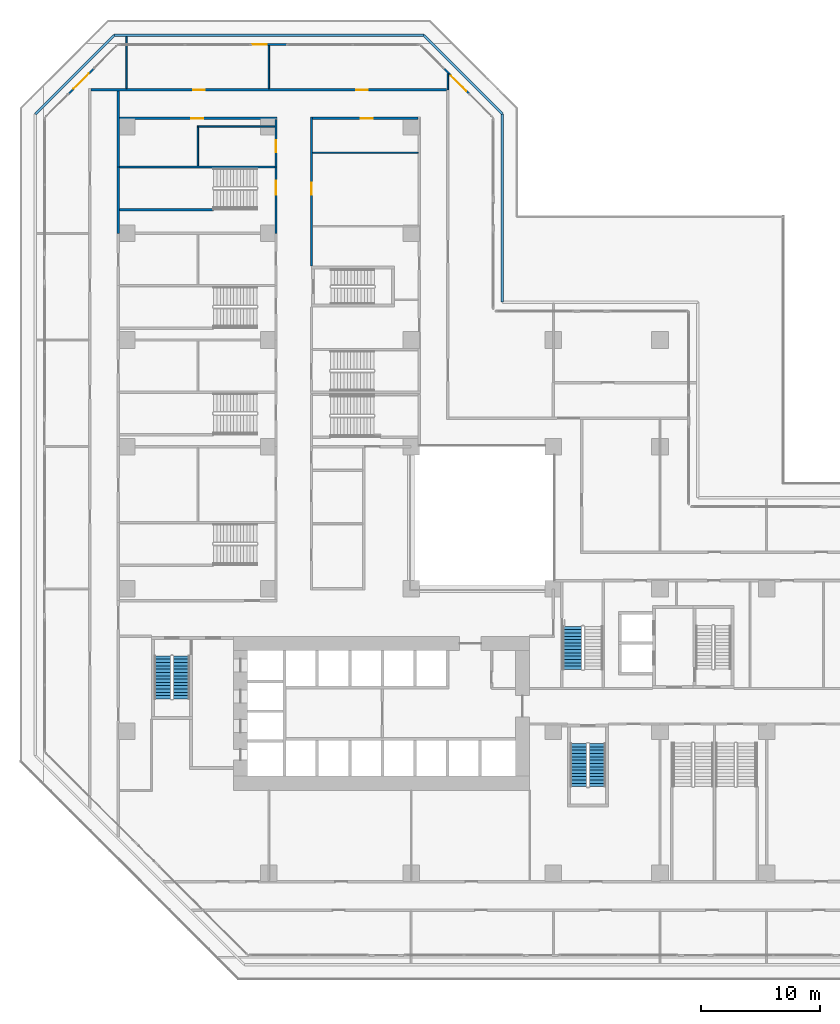
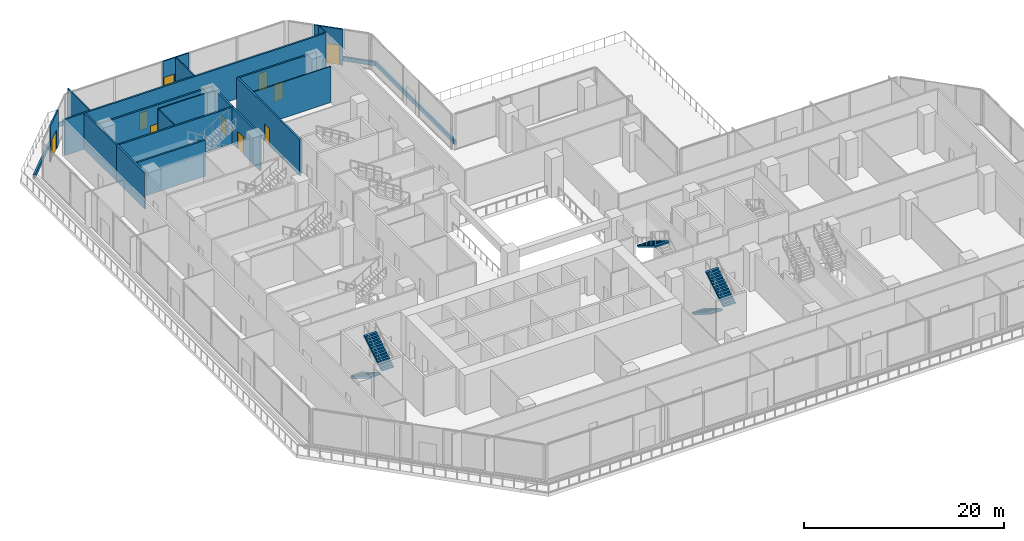
# One storey, part 17 of 25: 23 walls, 10 doors, 5 stair flights, 10 openings, 3 elements without a shape of their own.
"""IFC4 building model written with IfcOpenShell, lengths in metres."""

from ifc_helpers import new_model, si_unit, direction, frame, frame_2d, origin, place, context, subcontext, project, spatial, polyline, rectangle, outline, extrude, material, layer, layer_set, type_object, element, fill, aggregate, save


model = new_model("IFC4")

# Units and contexts
model_context = context("Model", 3, precision=1e-05, world=origin(), true_north=direction((0.0, 1.0)))
body_context = subcontext(model_context, "Body", "Model", "MODEL_VIEW")
ifc_project = project(units=[si_unit("LENGTHUNIT", "METRE"), si_unit("AREAUNIT", "SQUARE_METRE"), si_unit("VOLUMEUNIT", "CUBIC_METRE"), si_unit("PLANEANGLEUNIT", "RADIAN"), si_unit("MASSUNIT", "GRAM", prefix="KILO")], contexts=[model_context])

# Site, building, storey
site_placement = place(None, origin())
site = spatial("IfcSite", under=ifc_project, at=site_placement, CompositionType="ELEMENT")
building_placement = place(site_placement, origin())
building = spatial("IfcBuilding", under=site, at=building_placement, Name="Chenar Terraces", CompositionType="ELEMENT")
storey_placement = place(building_placement, frame((0.0, 0.0, 21.60009765625)))
storey = spatial("IfcBuildingStorey", under=building, at=storey_placement, Name="L04", CompositionType="ELEMENT", Elevation=21.60009765625)

# Walls
ifc_material_1 = material(Name="Gypsum board on steel studs with mineral wool", Category="steel")
ifc_layer_1 = layer(ifc_material_1, 0.125)
ifc_layer_set_1 = layer_set([ifc_layer_1], Name="Gypsum board on steel studs with mineral wool")
wall_type_1 = type_object("IfcWallType", Name="Acoustic partition 125", PredefinedType="PARTITIONING", material=ifc_layer_set_1)
wall_1_placement = place(storey_placement, frame((0.0, 66.199951171875, 0.0), z_axis=(0.0, 0.0, 1.0), x_axis=(0.0, 1.0, 0.0)))
element("IfcWall", 1, at=wall_1_placement, inside=storey, type_object=wall_type_1, Name="Partition L04-027", PredefinedType="PARTITIONING", context=body_context, shape_type="SweptSolid", body=[
    extrude(rectangle(XDim=4.400146484375, YDim=0.125, at=frame_2d((2.2001953125, 0.0))), origin(), (0.0, 0.0, 1.0), 4.39990234375),
])
wall_2_placement = place(storey_placement, frame((5.93798828125, 63.0, 0.0), z_axis=(0.0, 0.0, 1.0), x_axis=(1.0, 0.0, 0.0)))
element("IfcWall", 2, at=wall_2_placement, inside=storey, type_object=wall_type_1, Name="Partition L04-030", PredefinedType="PARTITIONING", context=body_context, shape_type="SweptSolid", body=[
    extrude(rectangle(XDim=6.56201171875, YDim=0.125, at=frame_2d((3.281005859375, 0.0))), origin(), (0.0, 0.0, 1.0), 4.39990234375),
])
wall_3_placement = place(storey_placement, frame((6.0, 59.699951171875, 0.0), z_axis=(0.0, 0.0, 1.0), x_axis=(0.0, 1.0, 0.0)))
element("IfcWall", 3, at=wall_3_placement, inside=storey, type_object=wall_type_1, Name="Partition L04-034", PredefinedType="PARTITIONING", context=body_context, shape_type="SweptSolid", body=[
    extrude(rectangle(XDim=3.238037109375, YDim=0.125, at=frame_2d((1.619140625, 0.0))), origin(), (0.0, 0.0, 1.0), 4.39990234375),
])
wall_4_placement = place(storey_placement, frame((12.0, 66.199951171875, 0.0), z_axis=(0.0, 0.0, 1.0), x_axis=(0.0, 1.0, 0.0)))
element("IfcWall", 4, at=wall_4_placement, inside=storey, type_object=wall_type_1, Name="Partition L04-037", PredefinedType="PARTITIONING", context=body_context, shape_type="SweptSolid", body=[
    extrude(rectangle(XDim=3.651123046875, YDim=0.125, at=frame_2d((1.82568359375, 0.0))), origin(), (0.0, 0.0, 1.0), 4.39990234375),
])
wall_5_placement = place(storey_placement, frame((27.10009765625, 66.10009765625, 0.0), z_axis=(0.0, 0.0, 1.0), x_axis=(0.0, 1.0, 0.0)))
element("IfcWall", 5, at=wall_5_placement, inside=storey, type_object=wall_type_1, Name="Partition L04-068", PredefinedType="PARTITIONING", context=body_context, shape_type="SweptSolid", body=[
    extrude(rectangle(XDim=1.366943359375, YDim=0.125, at=frame_2d((0.68359375, 0.0))), origin(), (0.0, 0.0, 1.0), 4.39990234375),
])

# Wall, openings, doors
ifc_material_2 = material(Name="Gypsum board on steel studs with fire boards", Category="steel")
ifc_layer_2 = layer(ifc_material_2, 0.199951171875)
ifc_layer_set_2 = layer_set([ifc_layer_2], Name="Gypsum board on steel studs with fire boards")
wall_type_2 = type_object("IfcWallType", Name="Corridor wall 200", PredefinedType="PARTITIONING", material=ifc_layer_set_2)
wall_6_placement = place(storey_placement, frame((-3.0, 66.10009765625, 0.0), z_axis=(0.0, 0.0, 1.0), x_axis=(1.0, 0.0, 0.0)))
wall_6 = element("IfcWall", 6, at=wall_6_placement, inside=storey, type_object=wall_type_2, Name="Partition L04-006", PredefinedType="PARTITIONING", context=body_context, shape_type="SweptSolid", body=[
    extrude(rectangle(XDim=30.0, YDim=0.199951171875, at=frame_2d((15.0, 0.0))), origin(), (0.0, 0.0, 1.0), 4.39990234375),
])
opening_1_placement = place(wall_6_placement, frame((8.60009765625, 0.0, 0.0)))
opening_1 = element("IfcOpeningElement", 7, at=opening_1_placement, cuts=wall_6, Name="Opening DL04-41", PredefinedType="OPENING", context=body_context, shape_type="SweptSolid", body=[
    extrude(rectangle(XDim=1.0, YDim=2.10009765625, at=frame_2d((0.5, 1.050048828125))), frame((0.0, 0.10986328125, 0.0), z_axis=(0.0, -1.0, 0.0), x_axis=(1.0, 0.0, 0.0)), (0.0, 0.0, 1.0), 0.219970703125),
])
opening_2_placement = place(wall_6_placement, frame((22.35009765625, 0.0, 0.0)))
opening_2 = element("IfcOpeningElement", 8, at=opening_2_placement, cuts=wall_6, Name="Opening DL04-42", PredefinedType="OPENING", context=body_context, shape_type="SweptSolid", body=[
    extrude(rectangle(XDim=1.0, YDim=2.10009765625, at=frame_2d((0.5, 1.050048828125))), frame((0.0, 0.10986328125, 0.0), z_axis=(0.0, -1.0, 0.0), x_axis=(1.0, 0.0, 0.0)), (0.0, 0.0, 1.0), 0.219970703125),
])
ifc_material_3 = material(Name="Steel-framed fire-resisting door leaf", Category="steel")
door_type_1 = type_object("IfcDoorType", Name="Fire door FD60 1000 x 2100", OperationType="SINGLE_SWING_LEFT", PredefinedType="DOOR", material=ifc_material_3)
door_1_placement = place(opening_1_placement, origin())
door_1 = element("IfcDoor", 9, at=door_1_placement, inside=storey, type_object=door_type_1, Name="Door DL04-41", OperationType="SINGLE_SWING_RIGHT", OverallHeight=2.10009765625, OverallWidth=1.0, PredefinedType="DOOR", context=body_context, shape_type="SweptSolid", body=[
    extrude(rectangle(XDim=1.0, YDim=2.10009765625, at=frame_2d((0.5, 1.050048828125))), frame((0.0, 0.02490234375, 0.0), z_axis=(0.0, -1.0, 0.0), x_axis=(1.0, 0.0, 0.0)), (0.0, 0.0, 1.0), 0.050048828125),
])
fill(opening_1, door_1)
door_2_placement = place(opening_2_placement, origin())
door_2 = element("IfcDoor", 10, at=door_2_placement, inside=storey, type_object=door_type_1, Name="Door DL04-42", OperationType="SINGLE_SWING_RIGHT", OverallHeight=2.10009765625, OverallWidth=1.0, PredefinedType="DOOR", context=body_context, shape_type="SweptSolid", body=[
    extrude(rectangle(XDim=1.0, YDim=2.10009765625, at=frame_2d((0.5, 1.050048828125))), frame((0.0, 0.02490234375, 0.0), z_axis=(0.0, -1.0, 0.0), x_axis=(1.0, 0.0, 0.0)), (0.0, 0.0, 1.0), 0.050048828125),
])
fill(opening_2, door_2)

# Wall
wall_7_placement = place(storey_placement, frame((-0.699951171875, 59.60009765625, 0.0), z_axis=(0.0, 0.0, 1.0), x_axis=(0.0, 1.0, 0.0)))
element("IfcWall", 11, at=wall_7_placement, inside=storey, type_object=wall_type_2, Name="Partition L04-015", PredefinedType="PARTITIONING", context=body_context, shape_type="SweptSolid", body=[
    extrude(rectangle(XDim=6.39990234375, YDim=0.199951171875, at=frame_2d((3.199951171875, 0.0))), origin(), (0.0, 0.0, 1.0), 4.39990234375),
])

# Wall, opening, door
wall_8_placement = place(storey_placement, frame((-0.60009765625, 63.699951171875, 0.0), z_axis=(0.0, 0.0, 1.0), x_axis=(1.0, 0.0, 0.0)))
wall_8 = element("IfcWall", 12, at=wall_8_placement, inside=storey, type_object=wall_type_2, Name="Partition L04-026", PredefinedType="PARTITIONING", context=body_context, shape_type="SweptSolid", body=[
    extrude(rectangle(XDim=13.300048828125, YDim=0.199951171875, at=frame_2d((6.64990234375, 0.0))), origin(), (0.0, 0.0, 1.0), 4.39990234375),
])
opening_3_placement = place(wall_8_placement, frame((6.050048828125, 0.0, 0.0)))
opening_3 = element("IfcOpeningElement", 13, at=opening_3_placement, cuts=wall_8, Name="Opening DL04-30", PredefinedType="OPENING", context=body_context, shape_type="SweptSolid", body=[
    extrude(rectangle(XDim=1.0, YDim=2.10009765625, at=frame_2d((0.5, 1.050048828125))), frame((0.0, 0.10986328125, 0.0), z_axis=(0.0, -1.0, 0.0), x_axis=(1.0, 0.0, 0.0)), (0.0, 0.0, 1.0), 0.219970703125),
])
door_3_placement = place(opening_3_placement, origin())
door_3 = element("IfcDoor", 14, at=door_3_placement, inside=storey, type_object=door_type_1, Name="Door DL04-30", OperationType="SINGLE_SWING_RIGHT", OverallHeight=2.10009765625, OverallWidth=1.0, PredefinedType="DOOR", context=body_context, shape_type="SweptSolid", body=[
    extrude(rectangle(XDim=1.0, YDim=2.10009765625, at=frame_2d((0.5, 1.050048828125))), frame((0.0, 0.02490234375, 0.0), z_axis=(0.0, -1.0, 0.0), x_axis=(1.0, 0.0, 0.0)), (0.0, 0.0, 1.0), 0.050048828125),
])
fill(opening_3, door_3)

wall_9_placement = place(storey_placement, frame((12.60009765625, 59.60009765625, 0.0), z_axis=(0.0, 0.0, 1.0), x_axis=(0.0, 1.0, 0.0)))
wall_9 = element("IfcWall", 15, at=wall_9_placement, inside=storey, type_object=wall_type_2, Name="Partition L04-045", PredefinedType="PARTITIONING", context=body_context, shape_type="SweptSolid", body=[
    extrude(rectangle(XDim=4.0, YDim=0.199951171875, at=frame_2d((2.0, 0.0))), origin(), (0.0, 0.0, 1.0), 4.39990234375),
])
opening_4_placement = place(wall_9_placement, frame((1.25, 0.0, 0.0)))
opening_4 = element("IfcOpeningElement", 16, at=opening_4_placement, cuts=wall_9, Name="Opening DL04-15", PredefinedType="OPENING", context=body_context, shape_type="SweptSolid", body=[
    extrude(rectangle(XDim=1.0, YDim=2.10009765625, at=frame_2d((0.5, 1.050048828125))), frame((0.0, 0.10986328125, 0.0), z_axis=(0.0, -1.0, 0.0), x_axis=(1.0, 0.0, 0.0)), (0.0, 0.0, 1.0), 0.219970703125),
])
door_4_placement = place(opening_4_placement, origin())
door_4 = element("IfcDoor", 17, at=door_4_placement, inside=storey, type_object=door_type_1, Name="Door DL04-15", OperationType="SINGLE_SWING_RIGHT", OverallHeight=2.10009765625, OverallWidth=1.0, PredefinedType="DOOR", context=body_context, shape_type="SweptSolid", body=[
    extrude(rectangle(XDim=1.0, YDim=2.10009765625, at=frame_2d((0.5, 1.050048828125))), frame((0.0, 0.02490234375, 0.0), z_axis=(0.0, -1.0, 0.0), x_axis=(1.0, 0.0, 0.0)), (0.0, 0.0, 1.0), 0.050048828125),
])
fill(opening_4, door_4)

wall_10_placement = place(storey_placement, frame((15.60009765625, 51.22509765625, 0.0), z_axis=(0.0, 0.0, 1.0), x_axis=(0.0, 1.0, 0.0)))
wall_10 = element("IfcWall", 18, at=wall_10_placement, inside=storey, type_object=wall_type_2, Name="Partition L04-051", PredefinedType="PARTITIONING", context=body_context, shape_type="SweptSolid", body=[
    extrude(rectangle(XDim=12.574951171875, YDim=0.199951171875, at=frame_2d((6.28759765625, 0.0))), origin(), (0.0, 0.0, 1.0), 4.39990234375),
])
opening_5_placement = place(wall_10_placement, frame((6.02490234375, 0.0, 0.0)))
opening_5 = element("IfcOpeningElement", 19, at=opening_5_placement, cuts=wall_10, Name="Opening DL04-21", PredefinedType="OPENING", context=body_context, shape_type="SweptSolid", body=[
    extrude(rectangle(XDim=1.0, YDim=2.10009765625, at=frame_2d((0.5, 1.050048828125))), frame((0.0, 0.10986328125, 0.0), z_axis=(0.0, -1.0, 0.0), x_axis=(1.0, 0.0, 0.0)), (0.0, 0.0, 1.0), 0.219970703125),
])
door_5_placement = place(opening_5_placement, frame((1.0, 0.0, 0.0), z_axis=(0.0, 0.0, 1.0), x_axis=(-1.0, 0.0, 0.0)))
door_5 = element("IfcDoor", 20, at=door_5_placement, inside=storey, type_object=door_type_1, Name="Door DL04-21", OperationType="SINGLE_SWING_LEFT", OverallHeight=2.10009765625, OverallWidth=1.0, PredefinedType="DOOR", context=body_context, shape_type="SweptSolid", body=[
    extrude(rectangle(XDim=1.0, YDim=2.10009765625, at=frame_2d((0.5, 1.050048828125))), frame((0.0, 0.02490234375, 0.0), z_axis=(0.0, -1.0, 0.0), x_axis=(1.0, 0.0, 0.0)), (0.0, 0.0, 1.0), 0.050048828125),
])
fill(opening_5, door_5)

wall_11_placement = place(storey_placement, frame((15.699951171875, 63.699951171875, 0.0), z_axis=(0.0, 0.0, 1.0), x_axis=(1.0, 0.0, 0.0)))
wall_11 = element("IfcWall", 21, at=wall_11_placement, inside=storey, type_object=wall_type_2, Name="Partition L04-059", PredefinedType="PARTITIONING", context=body_context, shape_type="SweptSolid", body=[
    extrude(rectangle(XDim=8.900146484375, YDim=0.199951171875, at=frame_2d((4.4501953125, 0.0))), origin(), (0.0, 0.0, 1.0), 4.39990234375),
])
opening_6_placement = place(wall_11_placement, frame((4.050048828125, 0.0, 0.0)))
opening_6 = element("IfcOpeningElement", 22, at=opening_6_placement, cuts=wall_11, Name="Opening DL04-22", PredefinedType="OPENING", context=body_context, shape_type="SweptSolid", body=[
    extrude(rectangle(XDim=1.0, YDim=2.10009765625, at=frame_2d((0.5, 1.050048828125))), frame((0.0, 0.10986328125, 0.0), z_axis=(0.0, -1.0, 0.0), x_axis=(1.0, 0.0, 0.0)), (0.0, 0.0, 1.0), 0.219970703125),
])
door_6_placement = place(opening_6_placement, frame((1.0, 0.0, 0.0), z_axis=(0.0, 0.0, 1.0), x_axis=(-1.0, 0.0, 0.0)))
door_6 = element("IfcDoor", 23, at=door_6_placement, inside=storey, type_object=door_type_1, Name="Door DL04-22", OperationType="SINGLE_SWING_LEFT", OverallHeight=2.10009765625, OverallWidth=1.0, PredefinedType="DOOR", context=body_context, shape_type="SweptSolid", body=[
    extrude(rectangle(XDim=1.0, YDim=2.10009765625, at=frame_2d((0.5, 1.050048828125))), frame((0.0, 0.02490234375, 0.0), z_axis=(0.0, -1.0, 0.0), x_axis=(1.0, 0.0, 0.0)), (0.0, 0.0, 1.0), 0.050048828125),
])
fill(opening_6, door_6)

# Wall
ifc_material_4 = material(Name="Gypsum board on steel studs", Category="steel")
ifc_layer_3 = layer(ifc_material_4, 0.10009765625)
ifc_layer_set_3 = layer_set([ifc_layer_3], Name="Gypsum board on steel studs")
wall_type_3 = type_object("IfcWallType", Name="Gypsum partition 100", PredefinedType="PARTITIONING", material=ifc_layer_set_3)
wall_12_placement = place(storey_placement, frame((15.699951171875, 60.800048828125, 0.0), z_axis=(0.0, 0.0, 1.0), x_axis=(1.0, 0.0, 0.0)))
element("IfcWall", 24, at=wall_12_placement, inside=storey, type_object=wall_type_3, Name="Partition L04-058", PredefinedType="PARTITIONING", context=body_context, shape_type="SweptSolid", body=[
    extrude(rectangle(XDim=8.900146484375, YDim=0.10009765625, at=frame_2d((4.4501953125, 0.0))), origin(), (0.0, 0.0, 1.0), 4.39990234375),
])

# Wall, opening, door
ifc_material_5 = material(Name="Aluminium framed glazing", Category="aluminium")
ifc_layer_4 = layer(ifc_material_5, 0.14990234375)
ifc_layer_set_4 = layer_set([ifc_layer_4], Name="Aluminium framed glazing")
wall_type_4 = type_object("IfcWallType", Name="Podium glazed wall 150", PredefinedType="SOLIDWALL", material=ifc_layer_set_4)
wall_13_placement = place(storey_placement, frame((28.896728515625, 65.775390625, 0.0), z_axis=(0.0, 0.0, 1.0), x_axis=(-0.707106781187, 0.707106781187, 0.0)))
wall_13 = element("IfcWall", 25, at=wall_13_placement, inside=storey, type_object=wall_type_4, Name="Podium glazed wall", PredefinedType="SOLIDWALL", context=body_context, shape_type="SweptSolid", body=[
    extrude(rectangle(XDim=3.0, YDim=0.14990234375, at=frame_2d((1.5, 0.0))), origin(), (0.0, 0.0, 1.0), 4.39990234375),
])
opening_7_placement = place(wall_13_placement, frame((0.35009765625, 0.0, 0.0)))
opening_7 = element("IfcOpeningElement", 26, at=opening_7_placement, cuts=wall_13, Name="Opening DL04-T1", PredefinedType="OPENING", context=body_context, shape_type="SweptSolid", body=[
    extrude(rectangle(XDim=1.800048828125, YDim=2.39990234375, at=frame_2d((0.89990234375, 1.199951171875))), frame((0.0, 0.0849609375, 0.0), z_axis=(0.0, -1.0, 0.0), x_axis=(1.0, 0.0, 0.0)), (0.0, 0.0, 1.0), 0.169921875),
])
ifc_material_6 = material(Name="Low emissivity double glazing, aluminium frame", Category="aluminium")
door_type_2 = type_object("IfcDoorType", Name="Terrace glazed double door 1800 x 2400", OperationType="DOUBLE_DOOR_SINGLE_SWING", PredefinedType="DOOR", material=ifc_material_6)
door_7_placement = place(opening_7_placement, frame((1.800048828125, 0.0, 0.0), z_axis=(0.0, 0.0, 1.0), x_axis=(-1.0, 0.0, 0.0)))
door_7 = element("IfcDoor", 27, at=door_7_placement, inside=storey, type_object=door_type_2, Name="Terrace glazed door", OperationType="DOUBLE_DOOR_SINGLE_SWING", OverallHeight=2.39990234375, OverallWidth=1.800048828125, PredefinedType="DOOR", context=body_context, shape_type="SweptSolid", body=[
    extrude(rectangle(XDim=1.800048828125, YDim=2.39990234375, at=frame_2d((0.89990234375, 1.199951171875))), frame((0.0, 0.02490234375, 0.0), z_axis=(0.0, -1.0, 0.0), x_axis=(1.0, 0.0, 0.0)), (0.0, 0.0, 1.0), 0.050048828125),
])
fill(opening_7, door_7)

wall_14_placement = place(storey_placement, frame((13.5, 69.925048828125, 0.0), z_axis=(0.0, 0.0, 1.0), x_axis=(-1.0, 0.0, 0.0)))
wall_14 = element("IfcWall", 28, at=wall_14_placement, inside=storey, type_object=wall_type_4, Name="Podium glazed wall", PredefinedType="SOLIDWALL", context=body_context, shape_type="SweptSolid", body=[
    extrude(rectangle(XDim=3.0, YDim=0.14990234375, at=frame_2d((1.5, 0.0))), origin(), (0.0, 0.0, 1.0), 4.39990234375),
])
opening_8_placement = place(wall_14_placement, frame((1.699951171875, 0.0, 0.0)))
opening_8 = element("IfcOpeningElement", 29, at=opening_8_placement, cuts=wall_14, Name="Opening DL04-T1N", PredefinedType="OPENING", context=body_context, shape_type="SweptSolid", body=[
    extrude(rectangle(XDim=1.199951171875, YDim=2.39990234375, at=frame_2d((0.60009765625, 1.199951171875))), frame((0.0, 0.0849609375, 0.0), z_axis=(0.0, -1.0, 0.0), x_axis=(1.0, 0.0, 0.0)), (0.0, 0.0, 1.0), 0.169921875),
])
ifc_material_7 = material(Name="Low emissivity double glazing, aluminium frame", Category="aluminium")
door_type_3 = type_object("IfcDoorType", Name="Terrace glazed door 1200 x 2400", OperationType="SINGLE_SWING_LEFT", PredefinedType="DOOR", material=ifc_material_7)
door_8_placement = place(opening_8_placement, frame((1.199951171875, 0.0, 0.0), z_axis=(0.0, 0.0, 1.0), x_axis=(-1.0, 0.0, 0.0)))
door_8 = element("IfcDoor", 30, at=door_8_placement, inside=storey, type_object=door_type_3, Name="Terrace glazed door", OperationType="DOUBLE_DOOR_SINGLE_SWING", OverallHeight=2.39990234375, OverallWidth=1.199951171875, PredefinedType="DOOR", context=body_context, shape_type="SweptSolid", body=[
    extrude(rectangle(XDim=1.199951171875, YDim=2.39990234375, at=frame_2d((0.60009765625, 1.199951171875))), frame((0.0, 0.02490234375, 0.0), z_axis=(0.0, -1.0, 0.0), x_axis=(1.0, 0.0, 0.0)), (0.0, 0.0, 1.0), 0.050048828125),
])
fill(opening_8, door_8)

wall_15_placement = place(storey_placement, frame((-2.775390625, 67.896728515625, 0.0), z_axis=(0.0, 0.0, 1.0), x_axis=(-0.707106781187, -0.707106781187, 0.0)))
wall_15 = element("IfcWall", 31, at=wall_15_placement, inside=storey, type_object=wall_type_4, Name="Podium glazed wall", PredefinedType="SOLIDWALL", context=body_context, shape_type="SweptSolid", body=[
    extrude(rectangle(XDim=3.0, YDim=0.14990234375, at=frame_2d((1.5, 0.0))), origin(), (0.0, 0.0, 1.0), 4.39990234375),
])
opening_9_placement = place(wall_15_placement, frame((0.60009765625, 0.0, 0.0)))
opening_9 = element("IfcOpeningElement", 32, at=opening_9_placement, cuts=wall_15, Name="Opening DL04-T1", PredefinedType="OPENING", context=body_context, shape_type="SweptSolid", body=[
    extrude(rectangle(XDim=1.800048828125, YDim=2.39990234375, at=frame_2d((0.89990234375, 1.199951171875))), frame((0.0, 0.0849609375, 0.0), z_axis=(0.0, -1.0, 0.0), x_axis=(1.0, 0.0, 0.0)), (0.0, 0.0, 1.0), 0.169921875),
])
door_9_placement = place(opening_9_placement, origin())
door_9 = element("IfcDoor", 33, at=door_9_placement, inside=storey, type_object=door_type_2, Name="Terrace glazed door", OperationType="DOUBLE_DOOR_SINGLE_SWING", OverallHeight=2.39990234375, OverallWidth=1.800048828125, PredefinedType="DOOR", context=body_context, shape_type="SweptSolid", body=[
    extrude(rectangle(XDim=1.800048828125, YDim=2.39990234375, at=frame_2d((0.89990234375, 1.199951171875))), frame((0.0, 0.02490234375, 0.0), z_axis=(0.0, -1.0, 0.0), x_axis=(1.0, 0.0, 0.0)), (0.0, 0.0, 1.0), 0.050048828125),
])
fill(opening_9, door_9)

# Walls
ifc_material_8 = material(Name="Reinforced concrete C40/50", Category="concrete")
ifc_layer_5 = layer(ifc_material_8, 0.199951171875)
ifc_layer_set_5 = layer_set([ifc_layer_5], Name="Reinforced concrete C40/50")
wall_type_5 = type_object("IfcWallType", Name="Stair enclosure wall 200 concrete", PredefinedType="SOLIDWALL", material=ifc_layer_set_5)
wall_16_placement = place(storey_placement, frame((-0.699951171875, 54.0, 0.0), z_axis=(0.0, 0.0, 1.0), x_axis=(0.0, 1.0, 0.0)))
element("IfcWall", 34, at=wall_16_placement, inside=storey, type_object=wall_type_5, Name="Stair enclosure wall L04-014", PredefinedType="SOLIDWALL", context=body_context, shape_type="SweptSolid", body=[
    extrude(rectangle(XDim=5.60009765625, YDim=0.199951171875, at=frame_2d((2.800048828125, 0.0))), origin(), (0.0, 0.0, 1.0), 4.39990234375),
])
wall_17_placement = place(storey_placement, frame((-0.60009765625, 59.60009765625, 0.0), z_axis=(0.0, 0.0, 1.0), x_axis=(1.0, 0.0, 0.0)))
element("IfcWall", 35, at=wall_17_placement, inside=storey, type_object=wall_type_5, Name="Stair enclosure wall L04-025", PredefinedType="SOLIDWALL", context=body_context, shape_type="SweptSolid", body=[
    extrude(rectangle(XDim=13.10009765625, YDim=0.199951171875, at=frame_2d((6.550048828125, 0.0))), origin(), (0.0, 0.0, 1.0), 4.39990234375),
])

# Wall, opening, door
wall_18_placement = place(storey_placement, frame((12.60009765625, 54.0, 0.0), z_axis=(0.0, 0.0, 1.0), x_axis=(0.0, 1.0, 0.0)))
wall_18 = element("IfcWall", 36, at=wall_18_placement, inside=storey, type_object=wall_type_5, Name="Stair enclosure wall L04-044", PredefinedType="SOLIDWALL", context=body_context, shape_type="SweptSolid", body=[
    extrude(rectangle(XDim=5.60009765625, YDim=0.199951171875, at=frame_2d((2.800048828125, 0.0))), origin(), (0.0, 0.0, 1.0), 4.39990234375),
])
opening_10_placement = place(wall_18_placement, frame((3.25, 0.0, 0.0)))
opening_10 = element("IfcOpeningElement", 37, at=opening_10_placement, cuts=wall_18, Name="Opening DL04-56", PredefinedType="OPENING", context=body_context, shape_type="SweptSolid", body=[
    extrude(rectangle(XDim=1.199951171875, YDim=2.10009765625, at=frame_2d((0.60009765625, 1.050048828125))), frame((0.0, 0.10986328125, 0.0), z_axis=(0.0, -1.0, 0.0), x_axis=(1.0, 0.0, 0.0)), (0.0, 0.0, 1.0), 0.219970703125),
])
ifc_material_9 = material(Name="Steel-framed fire-resisting door leaf", Category="steel")
door_type_4 = type_object("IfcDoorType", Name="Fire door FD120 1200 x 2100", OperationType="SINGLE_SWING_LEFT", PredefinedType="DOOR", material=ifc_material_9)
door_10_placement = place(opening_10_placement, origin())
door_10 = element("IfcDoor", 38, at=door_10_placement, inside=storey, type_object=door_type_4, Name="Door DL04-56", OperationType="SINGLE_SWING_RIGHT", OverallHeight=2.10009765625, OverallWidth=1.199951171875, PredefinedType="DOOR", context=body_context, shape_type="SweptSolid", body=[
    extrude(rectangle(XDim=1.199951171875, YDim=2.10009765625, at=frame_2d((0.60009765625, 1.050048828125))), frame((0.0, 0.02490234375, 0.0), z_axis=(0.0, -1.0, 0.0), x_axis=(1.0, 0.0, 0.0)), (0.0, 0.0, 1.0), 0.050048828125),
])
fill(opening_10, door_10)

# Walls
wall_19_placement = place(storey_placement, frame((-0.60009765625, 56.0, 0.0), z_axis=(0.0, 0.0, 1.0), x_axis=(1.0, 0.0, 0.0)))
element("IfcWall", 39, at=wall_19_placement, inside=storey, type_object=wall_type_5, Name="Stair enclosure wall L04-PS3-023", PredefinedType="SOLIDWALL", context=body_context, shape_type="SweptSolid", body=[
    extrude(rectangle(XDim=7.945068359375, YDim=0.199951171875, at=frame_2d((3.97265625, 0.0))), origin(), (0.0, 0.0, 1.0), 4.39990234375),
])
ifc_material_10 = material(Name="Terracotta cladding on insulated backing", Category="masonry")
ifc_layer_6 = layer(ifc_material_10, 0.199951171875)
ifc_layer_set_6 = layer_set([ifc_layer_6], Name="Terracotta cladding on insulated backing")
wall_type_6 = type_object("IfcWallType", Name="Terrace parapet upstand 200", PredefinedType="PARAPET", material=ifc_layer_set_6)
wall_20_placement = place(storey_placement, frame((-7.699951171875, 64.068115234375, 0.0), z_axis=(0.0, 0.0, 1.0), x_axis=(0.707106781187, 0.707106781187, 0.0)))
element("IfcWall", 40, at=wall_20_placement, inside=storey, type_object=wall_type_6, Name="Terrace parapet", PredefinedType="PARAPET", context=body_context, shape_type="SweptSolid", body=[
    extrude(rectangle(XDim=9.37890625, YDim=0.199951171875, at=frame_2d((4.689453125, 0.0))), origin(), (0.0, 0.0, 1.0), 0.5),
])
wall_21_placement = place(storey_placement, frame((-1.068115234375, 70.699951171875, 0.0), z_axis=(0.0, 0.0, 1.0), x_axis=(1.0, 0.0, 0.0)))
element("IfcWall", 41, at=wall_21_placement, inside=storey, type_object=wall_type_6, Name="Terrace parapet", PredefinedType="PARAPET", context=body_context, shape_type="SweptSolid", body=[
    extrude(rectangle(XDim=26.13623046875, YDim=0.199951171875, at=frame_2d((13.068115234375, 0.0))), origin(), (0.0, 0.0, 1.0), 0.5),
])
wall_22_placement = place(storey_placement, frame((25.068115234375, 70.699951171875, 0.0), z_axis=(0.0, 0.0, 1.0), x_axis=(0.707106781187, -0.707106781187, 0.0)))
element("IfcWall", 42, at=wall_22_placement, inside=storey, type_object=wall_type_6, Name="Terrace parapet", PredefinedType="PARAPET", context=body_context, shape_type="SweptSolid", body=[
    extrude(rectangle(XDim=9.37890625, YDim=0.199951171875, at=frame_2d((4.689453125, 0.0))), origin(), (0.0, 0.0, 1.0), 0.5),
])
wall_23_placement = place(storey_placement, frame((31.699951171875, 64.068115234375, 0.0), z_axis=(0.0, 0.0, 1.0), x_axis=(0.0, -1.0, 0.0)))
element("IfcWall", 43, at=wall_23_placement, inside=storey, type_object=wall_type_6, Name="Terrace parapet", PredefinedType="PARAPET", context=body_context, shape_type="SweptSolid", body=[
    extrude(rectangle(XDim=15.8681640625, YDim=0.199951171875, at=frame_2d((7.93408203125, 0.0))), origin(), (0.0, 0.0, 1.0), 0.5),
])

# Stair, stair flights
ifc_material_11 = material(Name="Reinforced concrete C40/50", Category="concrete")
stair_type = type_object("IfcStairType", Name="Core stair 1400 half-turn", PredefinedType="HALF_TURN_STAIR", material=ifc_material_11)
placement = place(storey_placement, origin())
stair_1 = element("IfcStair", 44, at=placement, inside=storey, type_object=stair_type, Name="L04 Stair 1", PredefinedType="HALF_TURN_STAIR")
ifc_material_12 = material(Name="Reinforced concrete C40/50", Category="concrete")
stair_flight_type = type_object("IfcStairFlightType", Name="Core stair flight 1400", PredefinedType="STRAIGHT", material=ifc_material_12)
stair_flight_1_placement = place(storey_placement, frame((3.050048828125, 18.35009765625, 0.0), z_axis=(0.0, 0.0, 1.0), x_axis=(0.0, -1.0, 0.0)))
stair_flight_1 = element("IfcStairFlight", 45, at=stair_flight_1_placement, type_object=stair_flight_type, Name="ST1 flight 1", NumberOfRisers=14, NumberOfTreads=13, PredefinedType="STRAIGHT", RiserHeight=0.171428571, TreadLength=0.28, context=body_context, shape_type="SweptSolid", body=[
    extrude(outline(polyline([(-0.0029296875, 0.0), (-0.0029296875, 0.17138671875), (0.0, 0.17138671875), (0.280029296875, 0.17138671875), (0.280029296875, 0.3427734375), (0.56005859375, 0.3427734375), (0.56005859375, 0.514404296875), (0.840087890625, 0.514404296875), (0.840087890625, 0.685791015625), (1.1201171875, 0.685791015625), (1.1201171875, 0.857177734375), (1.39990234375, 0.857177734375), (1.39990234375, 1.028564453125), (1.679931640625, 1.028564453125), (1.679931640625, 1.199951171875), (1.9599609375, 1.199951171875), (1.9599609375, 1.371337890625), (2.239990234375, 1.371337890625), (2.239990234375, 1.54296875), (2.52001953125, 1.54296875), (2.52001953125, 1.71435546875), (2.800048828125, 1.71435546875), (2.800048828125, 1.8857421875), (3.080078125, 1.8857421875), (3.080078125, 2.05712890625), (3.360107421875, 2.05712890625), (3.360107421875, 2.228515625), (3.639892578125, 2.228515625), (3.64306640625, 2.228515625), (3.64306640625, 2.052734375), (3.639892578125, 2.052734375), (0.287109375, 0.0), (-0.0029296875, 0.0)])), frame((0.0, 0.699951171875, 0.0), z_axis=(0.0, -1.0, 0.0), x_axis=(1.0, 0.0, 0.0)), (0.0, 0.0, 1.0), 1.39990234375),
])
stair_flight_2_placement = place(storey_placement, frame((4.60009765625, 14.7099609375, 2.39990234375), z_axis=(0.0, 0.0, 1.0), x_axis=(0.0, 1.0, 0.0)))
stair_flight_2 = element("IfcStairFlight", 46, at=stair_flight_2_placement, type_object=stair_flight_type, Name="ST1 flight 2", NumberOfRisers=14, NumberOfTreads=13, PredefinedType="STRAIGHT", RiserHeight=0.171428571, TreadLength=0.28, context=body_context, shape_type="SweptSolid", body=[
    extrude(outline(polyline([(-0.0029296875, 0.0), (-0.0029296875, 0.17138671875), (0.0, 0.17138671875), (0.280029296875, 0.17138671875), (0.280029296875, 0.3427734375), (0.56005859375, 0.3427734375), (0.56005859375, 0.514404296875), (0.840087890625, 0.514404296875), (0.840087890625, 0.685791015625), (1.1201171875, 0.685791015625), (1.1201171875, 0.857177734375), (1.39990234375, 0.857177734375), (1.39990234375, 1.028564453125), (1.679931640625, 1.028564453125), (1.679931640625, 1.199951171875), (1.9599609375, 1.199951171875), (1.9599609375, 1.371337890625), (2.239990234375, 1.371337890625), (2.239990234375, 1.54296875), (2.52001953125, 1.54296875), (2.52001953125, 1.71435546875), (2.800048828125, 1.71435546875), (2.800048828125, 1.8857421875), (3.080078125, 1.8857421875), (3.080078125, 2.05712890625), (3.360107421875, 2.05712890625), (3.360107421875, 2.228515625), (3.639892578125, 2.228515625), (3.64306640625, 2.228515625), (3.64306640625, 2.052734375), (3.639892578125, 2.052734375), (0.287109375, 0.0), (-0.0029296875, 0.0)])), frame((0.0, 0.699951171875, 0.0), z_axis=(0.0, -1.0, 0.0), x_axis=(1.0, 0.0, 0.0)), (0.0, 0.0, 1.0), 1.39990234375),
])
aggregate(stair_1, [stair_flight_1, stair_flight_2])

stair_2 = element("IfcStair", 47, at=placement, inside=storey, type_object=stair_type, Name="L04 Stair 2", PredefinedType="HALF_TURN_STAIR")
stair_flight_3_placement = place(storey_placement, frame((38.14990234375, 10.949951171875, 0.0), z_axis=(0.0, 0.0, 1.0), x_axis=(0.0, -1.0, 0.0)))
stair_flight_3 = element("IfcStairFlight", 48, at=stair_flight_3_placement, type_object=stair_flight_type, Name="ST2 flight 1", NumberOfRisers=14, NumberOfTreads=13, PredefinedType="STRAIGHT", RiserHeight=0.171428571, TreadLength=0.28, context=body_context, shape_type="SweptSolid", body=[
    extrude(outline(polyline([(-0.0029296875, 0.0), (-0.0029296875, 0.17138671875), (0.0, 0.17138671875), (0.280029296875, 0.17138671875), (0.280029296875, 0.3427734375), (0.56005859375, 0.3427734375), (0.56005859375, 0.514404296875), (0.840087890625, 0.514404296875), (0.840087890625, 0.685791015625), (1.1201171875, 0.685791015625), (1.1201171875, 0.857177734375), (1.39990234375, 0.857177734375), (1.39990234375, 1.028564453125), (1.679931640625, 1.028564453125), (1.679931640625, 1.199951171875), (1.9599609375, 1.199951171875), (1.9599609375, 1.371337890625), (2.239990234375, 1.371337890625), (2.239990234375, 1.54296875), (2.52001953125, 1.54296875), (2.52001953125, 1.71435546875), (2.800048828125, 1.71435546875), (2.800048828125, 1.8857421875), (3.080078125, 1.8857421875), (3.080078125, 2.05712890625), (3.360107421875, 2.05712890625), (3.360107421875, 2.228515625), (3.639892578125, 2.228515625), (3.64306640625, 2.228515625), (3.64306640625, 2.052734375), (3.639892578125, 2.052734375), (0.287109375, 0.0), (-0.0029296875, 0.0)])), frame((0.0, 0.699951171875, 0.0), z_axis=(0.0, -1.0, 0.0), x_axis=(1.0, 0.0, 0.0)), (0.0, 0.0, 1.0), 1.39990234375),
])
stair_flight_4_placement = place(storey_placement, frame((39.699951171875, 7.31005859375, 2.39990234375), z_axis=(0.0, 0.0, 1.0), x_axis=(0.0, 1.0, 0.0)))
stair_flight_4 = element("IfcStairFlight", 49, at=stair_flight_4_placement, type_object=stair_flight_type, Name="ST2 flight 2", NumberOfRisers=14, NumberOfTreads=13, PredefinedType="STRAIGHT", RiserHeight=0.171428571, TreadLength=0.28, context=body_context, shape_type="SweptSolid", body=[
    extrude(outline(polyline([(-0.0029296875, 0.0), (-0.0029296875, 0.17138671875), (0.0, 0.17138671875), (0.280029296875, 0.17138671875), (0.280029296875, 0.3427734375), (0.56005859375, 0.3427734375), (0.56005859375, 0.514404296875), (0.840087890625, 0.514404296875), (0.840087890625, 0.685791015625), (1.1201171875, 0.685791015625), (1.1201171875, 0.857177734375), (1.39990234375, 0.857177734375), (1.39990234375, 1.028564453125), (1.679931640625, 1.028564453125), (1.679931640625, 1.199951171875), (1.9599609375, 1.199951171875), (1.9599609375, 1.371337890625), (2.239990234375, 1.371337890625), (2.239990234375, 1.54296875), (2.52001953125, 1.54296875), (2.52001953125, 1.71435546875), (2.800048828125, 1.71435546875), (2.800048828125, 1.8857421875), (3.080078125, 1.8857421875), (3.080078125, 2.05712890625), (3.360107421875, 2.05712890625), (3.360107421875, 2.228515625), (3.639892578125, 2.228515625), (3.64306640625, 2.228515625), (3.64306640625, 2.052734375), (3.639892578125, 2.052734375), (0.287109375, 0.0), (-0.0029296875, 0.0)])), frame((0.0, 0.699951171875, 0.0), z_axis=(0.0, -1.0, 0.0), x_axis=(1.0, 0.0, 0.0)), (0.0, 0.0, 1.0), 1.39990234375),
])
aggregate(stair_2, [stair_flight_3, stair_flight_4])

# Stair, stair flight
stair_3 = element("IfcStair", 50, at=placement, inside=storey, type_object=stair_type, Name="L04 Exit stair PS1", PredefinedType="HALF_TURN_STAIR")
stair_flight_5_placement = place(storey_placement, frame((37.625, 20.840087890625, 2.39990234375), z_axis=(0.0, 0.0, 1.0), x_axis=(0.0, -1.0, 0.0)))
stair_flight_5 = element("IfcStairFlight", 51, at=stair_flight_5_placement, type_object=stair_flight_type, Name="PS1 flight 2", NumberOfRisers=14, NumberOfTreads=13, PredefinedType="STRAIGHT", RiserHeight=0.171428571, TreadLength=0.28, context=body_context, shape_type="SweptSolid", body=[
    extrude(outline(polyline([(-0.0029296875, 0.0), (-0.0029296875, 0.17138671875), (0.0, 0.17138671875), (0.280029296875, 0.17138671875), (0.280029296875, 0.3427734375), (0.56005859375, 0.3427734375), (0.56005859375, 0.514404296875), (0.840087890625, 0.514404296875), (0.840087890625, 0.685791015625), (1.1201171875, 0.685791015625), (1.1201171875, 0.857177734375), (1.39990234375, 0.857177734375), (1.39990234375, 1.028564453125), (1.679931640625, 1.028564453125), (1.679931640625, 1.199951171875), (1.9599609375, 1.199951171875), (1.9599609375, 1.371337890625), (2.239990234375, 1.371337890625), (2.239990234375, 1.54296875), (2.52001953125, 1.54296875), (2.52001953125, 1.71435546875), (2.800048828125, 1.71435546875), (2.800048828125, 1.8857421875), (3.080078125, 1.8857421875), (3.080078125, 2.05712890625), (3.360107421875, 2.05712890625), (3.360107421875, 2.228515625), (3.639892578125, 2.228515625), (3.64306640625, 2.228515625), (3.64306640625, 2.052734375), (3.639892578125, 2.052734375), (0.287109375, 0.0), (-0.0029296875, 0.0)])), frame((0.0, 0.800048828125, 0.0), z_axis=(0.0, -1.0, 0.0), x_axis=(1.0, 0.0, 0.0)), (0.0, 0.0, 1.0), 1.60009765625),
])
aggregate(stair_3, [stair_flight_5])

save(model, "model.ifc")
